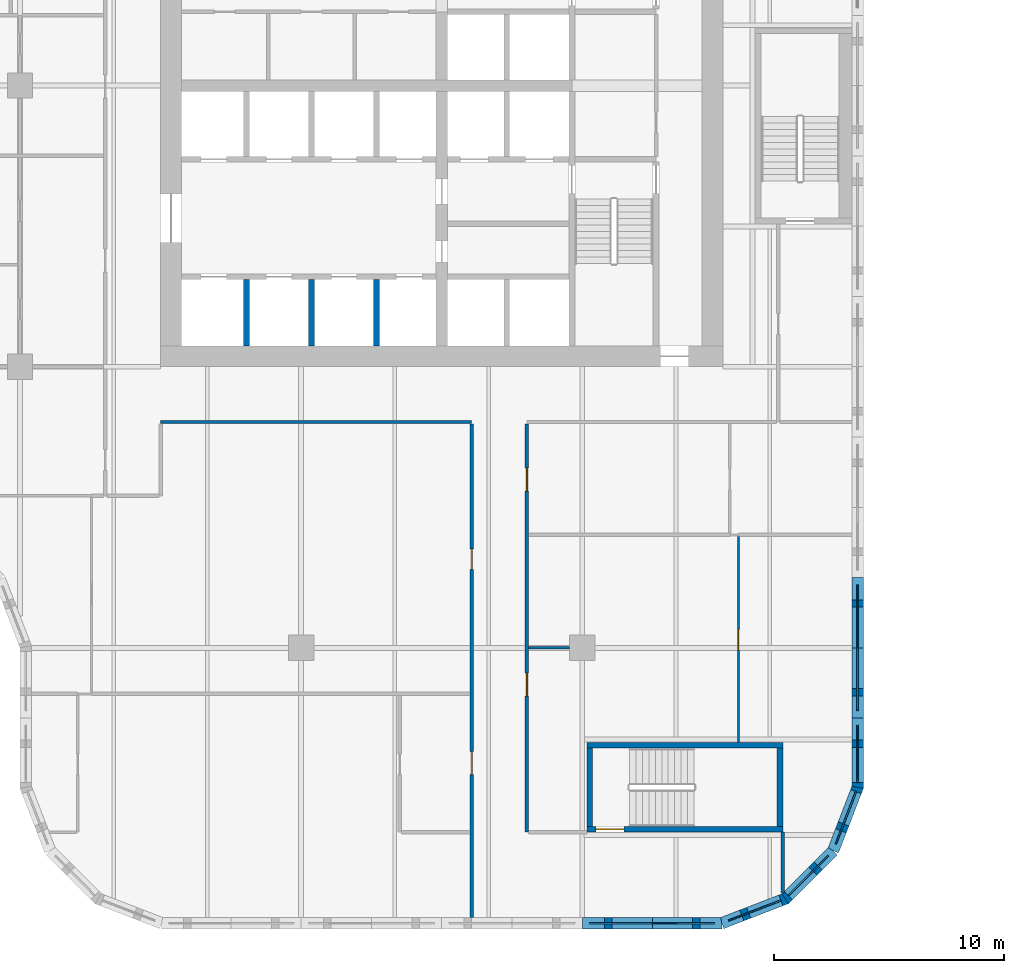
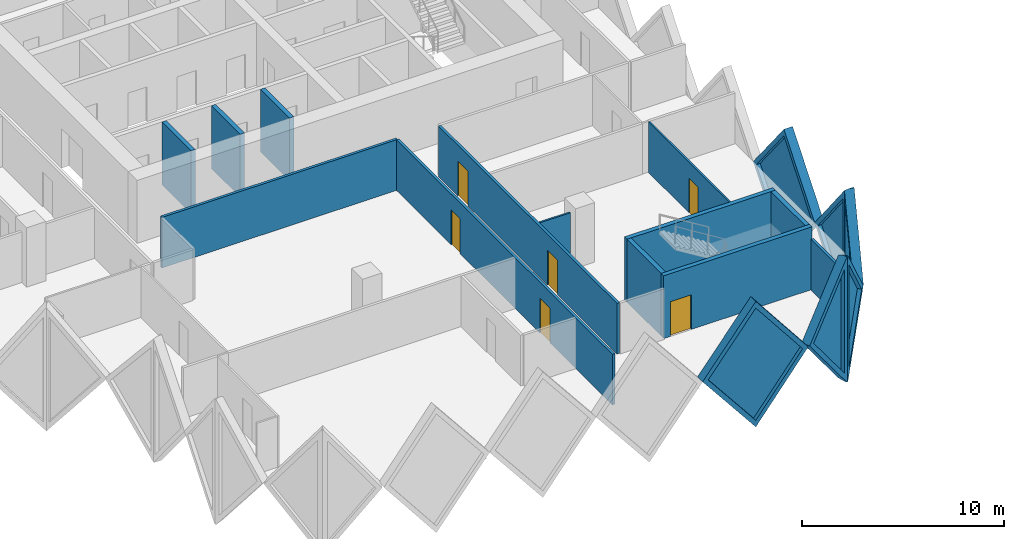
# One storey, part 6 of 20: 19 walls, 6 doors, 6 plates, 12 openings.
"""IFC4 building model written with IfcOpenShell, lengths in metres."""

from ifc_helpers import new_model, si_unit, direction, frame, frame_2d, origin, place, context, subcontext, project, spatial, polyline, rectangle, outline, extrude, faceted_brep, source, transform, mapped, material, layer, layer_set, type_object, element, fill, save


model = new_model("IFC4")

# Units and contexts
model_context = context("Model", 3, precision=1e-05, world=origin(), true_north=direction((0.0, 1.0)))
body_context = subcontext(model_context, "Body", "Model", "MODEL_VIEW")
ifc_project = project(units=[si_unit("LENGTHUNIT", "METRE"), si_unit("AREAUNIT", "SQUARE_METRE"), si_unit("VOLUMEUNIT", "CUBIC_METRE"), si_unit("PLANEANGLEUNIT", "RADIAN"), si_unit("MASSUNIT", "GRAM", prefix="KILO")], contexts=[model_context])

# Site, building, storey
site_placement = place(None, origin())
site = spatial("IfcSite", under=ifc_project, at=site_placement, CompositionType="ELEMENT")
building_placement = place(site_placement, origin())
building = spatial("IfcBuilding", under=site, at=building_placement, Name="Tessera Gate Towers", CompositionType="ELEMENT")
storey_placement = place(building_placement, frame((0.0, 0.0, 52.39990234375)))
storey = spatial("IfcBuildingStorey", under=building, at=storey_placement, Name="L12", CompositionType="ELEMENT", Elevation=52.39990234375)

# Walls
ifc_material_1 = material(Name="Concrete C40/50", Category="concrete")
ifc_layer_1 = layer(ifc_material_1, 0.25)
ifc_layer_set_1 = layer_set([ifc_layer_1], Name="CORE ENCLOSURE WALL 250")
wall_type_1 = type_object("IfcWallType", Name="CORE ENCLOSURE WALL 250", PredefinedType="SOLIDWALL", material=ifc_layer_set_1)
for number, where, z_axis, x_axis, name in (
    (1, (34.22509765625, 25.300048828125, 0.0), (0.0, 0.0, 1.0), (0.0, 1.0, 0.0), "L12 shaft and stair enclosure wall"),
    (2, (37.050048828125, 25.300048828125, 0.0), (0.0, 0.0, 1.0), (0.0, 1.0, 0.0), "L12 shaft and stair enclosure wall"),
    (3, (39.875, 25.300048828125, 0.0), (0.0, 0.0, 1.0), (0.0, 1.0, 0.0), "L12 shaft and stair enclosure wall"),
):
    element("IfcWall", number, at=place(storey_placement, frame(where, z_axis=z_axis, x_axis=x_axis)), inside=storey, type_object=wall_type_1, Name=name, PredefinedType="SOLIDWALL", context=body_context, shape_type="SweptSolid", body=[
        extrude(rectangle(XDim=2.875, YDim=0.25, at=frame_2d((1.4375, 0.0))), origin(), (0.0, 0.0, 1.0), 3.800048828125),
    ])

# Wall, opening, door
wall_1_placement = place(storey_placement, frame((57.5, 4.324951171875, 0.0), z_axis=(0.0, 0.0, 1.0), x_axis=(-1.0, 0.0, 0.0)))
wall_1 = element("IfcWall", 4, at=wall_1_placement, inside=storey, type_object=wall_type_1, Name="L12 ST4 enclosure wall", PredefinedType="SOLIDWALL", context=body_context, shape_type="SweptSolid", body=[
    extrude(rectangle(XDim=8.5, YDim=0.25, at=frame_2d((4.25, 0.0))), origin(), (0.0, 0.0, 1.0), 3.800048828125),
])
shared_shape_1 = source(origin(), body_context, "Body", "SweptSolid", [
    extrude(rectangle(XDim=1.199951171875, YDim=2.10009765625, at=frame_2d((0.60009765625, 1.050048828125))), frame((0.0, 0.135009765625, 0.0), z_axis=(0.0, -1.0, 0.0), x_axis=(1.0, 0.0, 0.0)), (0.0, 0.0, 1.0), 0.27001953125),
])
opening_1_placement = place(wall_1_placement, frame((6.89990234375, 0.0, 0.0)))
opening_1 = element("IfcOpeningElement", 5, at=opening_1_placement, cuts=wall_1, Name="Opening SD-ST4-1", PredefinedType="OPENING", context=body_context, shape_type="MappedRepresentation", body=[
    mapped(shared_shape_1, transform((0.0, 0.0, 0.0), scale=1.0)),
])
ifc_material_2 = material(Name="Hollow steel fire door", Category="steel")
door_type_1 = type_object("IfcDoorType", Name="CORE DOOR SD 1200x2100", OperationType="NOTDEFINED", PredefinedType="DOOR", material=ifc_material_2)
shared_shape_2 = source(origin(), body_context, "Body", "SweptSolid", [
    extrude(rectangle(XDim=1.199951171875, YDim=2.10009765625, at=frame_2d((0.60009765625, 1.050048828125))), frame((0.0, 0.02490234375, 0.0), z_axis=(0.0, -1.0, 0.0), x_axis=(1.0, 0.0, 0.0)), (0.0, 0.0, 1.0), 0.050048828125),
])
door_1_placement = place(opening_1_placement, origin())
door_1 = element("IfcDoor", 6, at=door_1_placement, inside=storey, type_object=door_type_1, Name="Stair door", OperationType="SINGLE_SWING_RIGHT", OverallHeight=2.10009765625, OverallWidth=1.199951171875, PredefinedType="DOOR", context=body_context, shape_type="MappedRepresentation", body=[
    mapped(shared_shape_2, transform((0.0, 0.0, 0.0), scale=1.0)),
])
fill(opening_1, door_1)

# Walls
wall_2_placement = place(storey_placement, frame((49.125, 4.449951171875, 0.0), z_axis=(0.0, 0.0, 1.0), x_axis=(0.0, 1.0, 0.0)))
element("IfcWall", 7, at=wall_2_placement, inside=storey, type_object=wall_type_1, Name="L12 ST4 enclosure wall", PredefinedType="SOLIDWALL", context=body_context, shape_type="SweptSolid", body=[
    extrude(rectangle(XDim=3.400146484375, YDim=0.25, at=frame_2d((1.7001953125, 0.0))), origin(), (0.0, 0.0, 1.0), 3.800048828125),
])
wall_3_placement = place(storey_placement, frame((49.0, 7.97509765625, 0.0), z_axis=(0.0, 0.0, 1.0), x_axis=(1.0, 0.0, 0.0)))
element("IfcWall", 8, at=wall_3_placement, inside=storey, type_object=wall_type_1, Name="L12 ST4 enclosure wall", PredefinedType="SOLIDWALL", context=body_context, shape_type="SweptSolid", body=[
    extrude(rectangle(XDim=8.5, YDim=0.25, at=frame_2d((4.25, 0.0))), origin(), (0.0, 0.0, 1.0), 3.800048828125),
])
wall_4_placement = place(storey_placement, frame((57.375, 7.85009765625, 0.0), z_axis=(0.0, 0.0, 1.0), x_axis=(0.0, -1.0, 0.0)))
element("IfcWall", 9, at=wall_4_placement, inside=storey, type_object=wall_type_1, Name="L12 ST4 enclosure wall", PredefinedType="SOLIDWALL", context=body_context, shape_type="SweptSolid", body=[
    extrude(rectangle(XDim=3.400146484375, YDim=0.25, at=frame_2d((1.7001953125, 0.0))), origin(), (0.0, 0.0, 1.0), 3.800048828125),
])

# Wall, openings, doors
ifc_material_3 = material(Name="Gypsum board on steel studs, mineral wool", Category="steel")
ifc_layer_2 = layer(ifc_material_3, 0.14990234375)
ifc_layer_set_2 = layer_set([ifc_layer_2], Name="CORRIDOR WALL 150")
wall_type_2 = type_object("IfcWallType", Name="CORRIDOR WALL 150", PredefinedType="PARTITIONING", material=ifc_layer_set_2)
wall_5_placement = place(storey_placement, frame((44.0, 0.5, 0.0), z_axis=(0.0, 0.0, 1.0), x_axis=(0.0, 1.0, 0.0)))
wall_5 = element("IfcWall", 10, at=wall_5_placement, inside=storey, type_object=wall_type_2, Name="T1-L12-PW-001", PredefinedType="PARTITIONING", context=body_context, shape_type="SweptSolid", body=[
    extrude(rectangle(XDim=21.424072265625, YDim=0.14990234375, at=frame_2d((10.7119140625, 0.0))), origin(), (0.0, 0.0, 1.0), 3.067138671875),
])
shared_shape_3 = source(origin(), body_context, "Body", "SweptSolid", [
    extrude(rectangle(XDim=1.0, YDim=2.10009765625, at=frame_2d((0.5, 1.050048828125))), frame((0.0, 0.0849609375, 0.0), z_axis=(0.0, -1.0, 0.0), x_axis=(1.0, 0.0, 0.0)), (0.0, 0.0, 1.0), 0.169921875),
])
opening_2_placement = place(wall_5_placement, frame((6.199951171875, 0.0, 0.0)))
opening_2 = element("IfcOpeningElement", 11, at=opening_2_placement, cuts=wall_5, Name="Opening D2100FD60-A04-04", PredefinedType="OPENING", context=body_context, shape_type="MappedRepresentation", body=[
    mapped(shared_shape_3, transform((0.0, 0.0, 0.0), scale=1.0)),
])
shared_shape_4 = source(origin(), body_context, "Body", "SweptSolid", [
    extrude(rectangle(XDim=0.89990234375, YDim=2.10009765625, at=frame_2d((0.449951171875, 1.050048828125))), frame((0.0, 0.0849609375, 0.0), z_axis=(0.0, -1.0, 0.0), x_axis=(1.0, 0.0, 0.0)), (0.0, 0.0, 1.0), 0.169921875),
])
opening_3_placement = place(wall_5_placement, frame((15.10009765625, 0.0, 0.0)))
opening_3 = element("IfcOpeningElement", 12, at=opening_3_placement, cuts=wall_5, Name="Opening D890FD60-A04-05", PredefinedType="OPENING", context=body_context, shape_type="MappedRepresentation", body=[
    mapped(shared_shape_4, transform((0.0, 0.0, 0.0), scale=1.0)),
])
ifc_material_4 = material(Name="Timber door leaf in steel frame", Category="steel")
door_type_2 = type_object("IfcDoorType", Name="CORRIDOR DOOR 900 FD60", OperationType="NOTDEFINED", PredefinedType="DOOR", material=ifc_material_4)
shared_shape_5 = source(origin(), body_context, "Body", "SweptSolid", [
    extrude(rectangle(XDim=0.89990234375, YDim=2.10009765625, at=frame_2d((0.449951171875, 1.050048828125))), frame((0.0, 0.02490234375, 0.0), z_axis=(0.0, -1.0, 0.0), x_axis=(1.0, 0.0, 0.0)), (0.0, 0.0, 1.0), 0.050048828125),
])
door_2_placement = place(opening_3_placement, origin())
door_2 = element("IfcDoor", 13, at=door_2_placement, inside=storey, type_object=door_type_2, Name="T1-L12-PD-026", OperationType="SINGLE_SWING_LEFT", OverallHeight=2.10009765625, OverallWidth=0.89990234375, PredefinedType="DOOR", context=body_context, shape_type="MappedRepresentation", body=[
    mapped(shared_shape_5, transform((0.0, 0.0, 0.0), scale=1.0)),
])
fill(opening_3, door_2)
ifc_material_5 = material(Name="Timber door leaf in steel frame", Category="steel")
door_type_3 = type_object("IfcDoorType", Name="TENANCY ENTRANCE DOOR 1000 FD60", OperationType="NOTDEFINED", PredefinedType="DOOR", material=ifc_material_5)
shared_shape_6 = source(origin(), body_context, "Body", "SweptSolid", [
    extrude(rectangle(XDim=1.0, YDim=2.10009765625, at=frame_2d((0.5, 1.050048828125))), frame((0.0, 0.02490234375, 0.0), z_axis=(0.0, -1.0, 0.0), x_axis=(1.0, 0.0, 0.0)), (0.0, 0.0, 1.0), 0.050048828125),
])
door_3_placement = place(opening_2_placement, origin())
door_3 = element("IfcDoor", 14, at=door_3_placement, inside=storey, type_object=door_type_3, Name="T1-L12-PD-015", OperationType="SINGLE_SWING_LEFT", OverallHeight=2.10009765625, OverallWidth=1.0, PredefinedType="DOOR", context=body_context, shape_type="MappedRepresentation", body=[
    mapped(shared_shape_6, transform((0.0, 0.0, 0.0), scale=1.0)),
])
fill(opening_2, door_3)

# Wall
wall_6_placement = place(storey_placement, frame((57.5, 1.55908203125, 0.0), z_axis=(0.0, 0.0, 1.0), x_axis=(0.0, 1.0, 0.0)))
element("IfcWall", 15, at=wall_6_placement, inside=storey, type_object=wall_type_2, Name="T1-L12-PW-002", PredefinedType="PARTITIONING", context=body_context, shape_type="SweptSolid", body=[
    extrude(rectangle(XDim=2.640869140625, YDim=0.14990234375, at=frame_2d((1.3203125, 0.0))), origin(), (0.0, 0.0, 1.0), 3.067138671875),
])

# Wall, openings, doors
wall_7_placement = place(storey_placement, frame((46.39990234375, 21.924072265625, 0.0), z_axis=(0.0, 0.0, 1.0), x_axis=(0.0, -1.0, 0.0)))
wall_7 = element("IfcWall", 16, at=wall_7_placement, inside=storey, type_object=wall_type_2, Name="T1-L12-PW-007", PredefinedType="PARTITIONING", context=body_context, shape_type="SweptSolid", body=[
    extrude(rectangle(XDim=17.72412109375, YDim=0.14990234375, at=frame_2d((8.862060546875, 0.0))), origin(), (0.0, 0.0, 1.0), 3.067138671875),
])
opening_4_placement = place(wall_7_placement, frame((1.923095703125, 0.0, 0.0)))
opening_4 = element("IfcOpeningElement", 17, at=opening_4_placement, cuts=wall_7, Name="Opening D2100FD60-A04-02", PredefinedType="OPENING", context=body_context, shape_type="MappedRepresentation", body=[
    mapped(shared_shape_3, transform((0.0, 0.0, 0.0), scale=1.0)),
])
opening_5_placement = place(wall_7_placement, frame((10.823974609375, 0.0, 0.0)))
opening_5 = element("IfcOpeningElement", 18, at=opening_5_placement, cuts=wall_7, Name="Opening D2100FD60-A04-09", PredefinedType="OPENING", context=body_context, shape_type="MappedRepresentation", body=[
    mapped(shared_shape_3, transform((0.0, 0.0, 0.0), scale=1.0)),
])
door_4_placement = place(opening_4_placement, origin())
door_4 = element("IfcDoor", 19, at=door_4_placement, inside=storey, type_object=door_type_3, Name="T1-L12-PD-008", OperationType="SINGLE_SWING_RIGHT", OverallHeight=2.10009765625, OverallWidth=1.0, PredefinedType="DOOR", context=body_context, shape_type="MappedRepresentation", body=[
    mapped(shared_shape_6, transform((0.0, 0.0, 0.0), scale=1.0)),
])
fill(opening_4, door_4)
door_5_placement = place(opening_5_placement, origin())
door_5 = element("IfcDoor", 20, at=door_5_placement, inside=storey, type_object=door_type_3, Name="T1-L12-PD-029", OperationType="SINGLE_SWING_RIGHT", OverallHeight=2.10009765625, OverallWidth=1.0, PredefinedType="DOOR", context=body_context, shape_type="MappedRepresentation", body=[
    mapped(shared_shape_6, transform((0.0, 0.0, 0.0), scale=1.0)),
])
fill(opening_5, door_5)

# Wall
wall_8_placement = place(storey_placement, frame((30.5, 22.0, 0.0), z_axis=(0.0, 0.0, 1.0), x_axis=(1.0, 0.0, 0.0)))
element("IfcWall", 21, at=wall_8_placement, inside=storey, type_object=wall_type_2, Name="T1-L12-PW-026", PredefinedType="PARTITIONING", context=body_context, shape_type="SweptSolid", body=[
    extrude(rectangle(XDim=13.5, YDim=0.14990234375, at=frame_2d((6.75, 0.0))), origin(), (0.0, 0.0, 1.0), 3.067138671875),
])

# Wall, opening, door
ifc_material_6 = material(Name="Glass", Category="glass")
ifc_layer_3 = layer(ifc_material_6, 0.10009765625)
ifc_layer_set_3 = layer_set([ifc_layer_3], Name="GLAZED PARTITION 100")
wall_type_3 = type_object("IfcWallType", Name="GLAZED PARTITION 100", PredefinedType="PARTITIONING", material=ifc_layer_set_3)
wall_9_placement = place(storey_placement, frame((55.574951171875, 17.02392578125, 0.0), z_axis=(0.0, 0.0, 1.0), x_axis=(0.0, -1.0, 0.0)))
wall_9 = element("IfcWall", 22, at=wall_9_placement, inside=storey, type_object=wall_type_3, Name="T1-L12-PW-009", PredefinedType="PARTITIONING", context=body_context, shape_type="SweptSolid", body=[
    extrude(rectangle(XDim=8.923828125, YDim=0.10009765625, at=frame_2d((4.4619140625, 0.0))), origin(), (0.0, 0.0, 1.0), 3.067138671875),
])
shared_shape_7 = source(origin(), body_context, "Body", "SweptSolid", [
    extrude(rectangle(XDim=0.89990234375, YDim=2.10009765625, at=frame_2d((0.449951171875, 1.050048828125))), frame((0.0, 0.06005859375, 0.0), z_axis=(0.0, -1.0, 0.0), x_axis=(1.0, 0.0, 0.0)), (0.0, 0.0, 1.0), 0.1201171875),
])
opening_6_placement = place(wall_9_placement, frame((4.02392578125, 0.0, 0.0)))
opening_6 = element("IfcOpeningElement", 23, at=opening_6_placement, cuts=wall_9, Name="Opening D690-A04-04", PredefinedType="OPENING", context=body_context, shape_type="MappedRepresentation", body=[
    mapped(shared_shape_7, transform((0.0, 0.0, 0.0), scale=1.0)),
])
ifc_material_7 = material(Name="Glass in aluminium frame", Category="aluminium")
door_type_4 = type_object("IfcDoorType", Name="GLAZED DOOR 900 NOT RATED", OperationType="NOTDEFINED", PredefinedType="DOOR", material=ifc_material_7)
door_6_placement = place(opening_6_placement, origin())
door_6 = element("IfcDoor", 24, at=door_6_placement, inside=storey, type_object=door_type_4, Name="T1-L12-PD-022", OperationType="SINGLE_SWING_RIGHT", OverallHeight=2.10009765625, OverallWidth=0.89990234375, PredefinedType="DOOR", context=body_context, shape_type="MappedRepresentation", body=[
    mapped(shared_shape_5, transform((0.0, 0.0, 0.0), scale=1.0)),
])
fill(opening_6, door_6)

# Wall
ifc_material_8 = material(Name="Gypsum board on steel studs", Category="steel")
ifc_layer_4 = layer(ifc_material_8, 0.10009765625)
ifc_layer_set_4 = layer_set([ifc_layer_4], Name="PARTITION 100")
wall_type_4 = type_object("IfcWallType", Name="PARTITION 100", PredefinedType="PARTITIONING", material=ifc_layer_set_4)
wall_10_placement = place(storey_placement, frame((48.25, 12.199951171875, 0.0), z_axis=(0.0, 0.0, 1.0), x_axis=(-1.0, 0.0, 0.0)))
element("IfcWall", 25, at=wall_10_placement, inside=storey, type_object=wall_type_4, Name="T1-L12-PW-014", PredefinedType="PARTITIONING", context=body_context, shape_type="SweptSolid", body=[
    extrude(rectangle(XDim=1.77490234375, YDim=0.10009765625, at=frame_2d((0.887451171875, 0.0))), origin(), (0.0, 0.0, 1.0), 3.067138671875),
])

# Wall, opening, plate
ifc_material_9 = material(Name="Precast concrete C60/75 white", Category="concrete")
ifc_layer_5 = layer(ifc_material_9, 0.5)
ifc_layer_set_5 = layer_set([ifc_layer_5], Name="TS3 corner tessera")
wall_type_5 = type_object("IfcWallType", Name="TS3 corner tessera", PredefinedType="SOLIDWALL", material=ifc_layer_set_5)
shared_shape_8 = source(origin(), body_context, "Body", "Brep", [
    faceted_brep([(0.046630859375, -0.25, 0.0), (3.050048828125, -0.25, 3.7998046875), (0.046630859375, -0.25, 7.599853515625), (0.0, -0.25, 7.539794921875), (0.0, -0.25, 0.06005859375), (0.09326171875, 0.25, 7.541015625), (3.050048828125, 0.25, 3.7998046875), (0.09326171875, 0.25, 0.058837890625), (0.046630859375, 0.0, 0.0), (0.046630859375, 0.0, 7.599853515625)], [[[0, 1, 2, 3, 4]], [[5, 6, 7]], [[7, 6, 1, 0, 8]], [[6, 5, 9, 2, 1]], [[3, 2, 9]], [[8, 0, 4]], [[7, 8, 4, 3, 9, 5]]]),
])
wall_11_placement = place(storey_placement, frame((60.75, 6.099853515625, -3.7998046875), z_axis=(0.0, 0.0, 1.0), x_axis=(0.0, 1.0, 0.0)))
wall_11 = element("IfcWall", 26, at=wall_11_placement, inside=storey, type_object=wall_type_5, Name="Precast corner tessera T1 TS3-0244", PredefinedType="SOLIDWALL", context=body_context, shape_type="MappedRepresentation", body=[
    mapped(shared_shape_8, transform((0.0, 0.0, 0.0), scale=1.0)),
])
shared_shape_9 = source(origin(), body_context, "Body", "SweptSolid", [
    extrude(outline(polyline([(0.24658203125, 0.656005859375), (2.7314453125, 3.7998046875), (0.24658203125, 6.943603515625), (0.24658203125, 0.656005859375)])), frame((0.0, 0.260009765625, 0.0), z_axis=(0.0, -1.0, 0.0), x_axis=(1.0, 0.0, 0.0)), (0.0, 0.0, 1.0), 0.52001953125),
])
opening_7_placement = place(wall_11_placement, origin())
opening_7 = element("IfcOpeningElement", 27, at=opening_7_placement, cuts=wall_11, Name="Opening T1-PL2-0336", PredefinedType="OPENING", context=body_context, shape_type="MappedRepresentation", body=[
    mapped(shared_shape_9, transform((0.0, 0.0, 0.0), scale=1.0)),
])
ifc_material_10 = material(Name="Low-e laminated glass", Category="glass")
ifc_layer_6 = layer(ifc_material_10, 0.06005859375)
ifc_layer_set_6 = layer_set([ifc_layer_6], Name="PL2 rhombic pane")
plate_type = type_object("IfcPlateType", Name="PL2 rhombic pane", PredefinedType="SHEET", material=ifc_layer_set_6)
shared_shape_10 = source(origin(), body_context, "Body", "SweptSolid", [
    extrude(outline(polyline([(0.24658203125, 0.656005859375), (2.7314453125, 3.7998046875), (0.24658203125, 6.943603515625), (0.24658203125, 0.656005859375)])), frame((0.0, 0.030029296875, 0.0), z_axis=(0.0, -1.0, 0.0), x_axis=(1.0, 0.0, 0.0)), (0.0, 0.0, 1.0), 0.06005859375),
])
plate_1_placement = place(opening_7_placement, origin())
plate_1 = element("IfcPlate", 28, at=plate_1_placement, inside=storey, type_object=plate_type, Name="Glass pane T1 PL2-0336", PredefinedType="SHEET", context=body_context, shape_type="MappedRepresentation", body=[
    mapped(shared_shape_10, transform((0.0, 0.0, 0.0), scale=1.0)),
])
fill(opening_7, plate_1)

ifc_material_11 = material(Name="Precast concrete C60/75 white", Category="concrete")
ifc_layer_7 = layer(ifc_material_11, 0.5)
ifc_layer_set_7 = layer_set([ifc_layer_7], Name="TS1 tessera")
wall_type_6 = type_object("IfcWallType", Name="TS1 tessera", PredefinedType="SOLIDWALL", material=ifc_layer_set_7)
shared_shape_11 = source(origin(), body_context, "Body", "SweptSolid", [
    extrude(outline(polyline([(3.050048828125, 0.0), (6.10009765625, 3.7998046875), (3.050048828125, 7.599853515625), (0.0, 3.7998046875), (3.050048828125, 0.0)])), frame((0.0, 0.25, 0.0), z_axis=(0.0, -1.0, 0.0), x_axis=(1.0, 0.0, 0.0)), (0.0, 0.0, 1.0), 0.5),
])
wall_12_placement = place(storey_placement, frame((60.75, 9.14990234375, -3.7998046875), z_axis=(0.0, 0.0, 1.0), x_axis=(0.0, 1.0, 0.0)))
wall_12 = element("IfcWall", 29, at=wall_12_placement, inside=storey, type_object=wall_type_6, Name="Precast tessera T1 TS1-0165", PredefinedType="SOLIDWALL", context=body_context, shape_type="MappedRepresentation", body=[
    mapped(shared_shape_11, transform((0.0, 0.0, 0.0), scale=1.0)),
])
shared_shape_12 = source(origin(), body_context, "Body", "SweptSolid", [
    extrude(outline(polyline([(3.050048828125, 0.3994140625), (5.779541015625, 3.7998046875), (3.050048828125, 7.200439453125), (0.320556640625, 3.7998046875), (3.050048828125, 0.3994140625)])), frame((0.0, 0.260009765625, 0.0), z_axis=(0.0, -1.0, 0.0), x_axis=(1.0, 0.0, 0.0)), (0.0, 0.0, 1.0), 0.52001953125),
])
opening_8_placement = place(wall_12_placement, origin())
opening_8 = element("IfcOpeningElement", 30, at=opening_8_placement, cuts=wall_12, Name="Opening T1-PL2-0337", PredefinedType="OPENING", context=body_context, shape_type="MappedRepresentation", body=[
    mapped(shared_shape_12, transform((0.0, 0.0, 0.0), scale=1.0)),
])
shared_shape_13 = source(origin(), body_context, "Body", "SweptSolid", [
    extrude(outline(polyline([(3.050048828125, 0.3994140625), (5.779541015625, 3.7998046875), (3.050048828125, 7.200439453125), (0.320556640625, 3.7998046875), (3.050048828125, 0.3994140625)])), frame((0.0, 0.030029296875, 0.0), z_axis=(0.0, -1.0, 0.0), x_axis=(1.0, 0.0, 0.0)), (0.0, 0.0, 1.0), 0.06005859375),
])
plate_2_placement = place(opening_8_placement, origin())
plate_2 = element("IfcPlate", 31, at=plate_2_placement, inside=storey, type_object=plate_type, Name="Glass pane T1 PL2-0337", PredefinedType="SHEET", context=body_context, shape_type="MappedRepresentation", body=[
    mapped(shared_shape_13, transform((0.0, 0.0, 0.0), scale=1.0)),
])
fill(opening_8, plate_2)

shared_shape_14 = source(origin(), body_context, "Body", "Brep", [
    faceted_brep([(3.050048828125, -0.25, 0.0), (6.053466796875, -0.25, 3.7998046875), (3.050048828125, -0.25, 7.599853515625), (0.0, -0.25, 3.7998046875), (0.0, 0.25, 3.7998046875), (3.050048828125, 0.25, 7.599853515625), (6.0068359375, 0.25, 3.858642578125), (6.0068359375, 0.25, 3.740966796875), (3.050048828125, 0.25, 0.0), (6.053466796875, 0.0, 3.7998046875)], [[[0, 1, 2, 3]], [[4, 5, 6, 7, 8]], [[8, 7, 9, 1, 0]], [[6, 5, 2, 1, 9]], [[5, 4, 3, 2]], [[4, 8, 0, 3]], [[9, 7, 6]]]),
])
wall_13_placement = place(storey_placement, frame((48.800048828125, 0.25, -3.7998046875), z_axis=(0.0, 0.0, 1.0), x_axis=(1.0, 0.0, 0.0)))
wall_13 = element("IfcWall", 32, at=wall_13_placement, inside=storey, type_object=wall_type_6, Name="Precast tessera T1 TS1-0164", PredefinedType="SOLIDWALL", context=body_context, shape_type="MappedRepresentation", body=[
    mapped(shared_shape_14, transform((0.0, 0.0, 0.0), scale=1.0)),
])
shared_shape_15 = source(origin(), body_context, "Body", "SweptSolid", [
    extrude(outline(polyline([(3.048583984375, 0.401123046875), (5.73486328125, 3.7998046875), (3.048583984375, 7.19873046875), (0.320556640625, 3.7998046875), (3.048583984375, 0.401123046875)])), frame((0.0, 0.260009765625, 0.0), z_axis=(0.0, -1.0, 0.0), x_axis=(1.0, 0.0, 0.0)), (0.0, 0.0, 1.0), 0.52001953125),
])
opening_9_placement = place(wall_13_placement, origin())
opening_9 = element("IfcOpeningElement", 33, at=opening_9_placement, cuts=wall_13, Name="Opening T1-PL2-0332", PredefinedType="OPENING", context=body_context, shape_type="MappedRepresentation", body=[
    mapped(shared_shape_15, transform((0.0, 0.0, 0.0), scale=1.0)),
])
shared_shape_16 = source(origin(), body_context, "Body", "SweptSolid", [
    extrude(outline(polyline([(3.048583984375, 0.401123046875), (5.73486328125, 3.7998046875), (3.048583984375, 7.19873046875), (0.320556640625, 3.7998046875), (3.048583984375, 0.401123046875)])), frame((0.0, 0.030029296875, 0.0), z_axis=(0.0, -1.0, 0.0), x_axis=(1.0, 0.0, 0.0)), (0.0, 0.0, 1.0), 0.06005859375),
])
plate_3_placement = place(opening_9_placement, origin())
plate_3 = element("IfcPlate", 34, at=plate_3_placement, inside=storey, type_object=plate_type, Name="Glass pane T1 PL2-0332", PredefinedType="SHEET", context=body_context, shape_type="MappedRepresentation", body=[
    mapped(shared_shape_16, transform((0.0, 0.0, 0.0), scale=1.0)),
])
fill(opening_9, plate_3)

shared_shape_17 = source(origin(), body_context, "Body", "Brep", [
    faceted_brep([(2.950439453125, -0.25, 0.0), (2.9970703125, -0.25, 0.05908203125), (2.9970703125, -0.25, 7.540771484375), (2.950439453125, -0.25, 7.599853515625), (0.0, -0.25, 3.7998046875), (0.052978515625, 0.25, 3.867919921875), (2.904052734375, 0.25, 7.5400390625), (2.904052734375, 0.25, 0.059814453125), (0.052978515625, 0.25, 3.731689453125), (2.950439453125, 0.00048828125, 0.0), (2.950439453125, 0.00048828125, 7.599853515625), (0.0, 0.0, 3.7998046875)], [[[0, 1, 2, 3, 4]], [[5, 6, 7, 8]], [[1, 0, 9]], [[10, 3, 2]], [[6, 5, 11, 4, 3, 10]], [[8, 7, 9, 0, 4, 11]], [[8, 11, 5]], [[1, 9, 7, 6, 10, 2]]]),
])
wall_14_placement = place(storey_placement, frame((59.68798828125, 3.393798828125, -3.7998046875), z_axis=(0.0, 0.0, 1.0), x_axis=(0.359972353723, 0.932962970624, 0.0)))
wall_14 = element("IfcWall", 35, at=wall_14_placement, inside=storey, type_object=wall_type_5, Name="Precast corner tessera T1 TS3-0243", PredefinedType="SOLIDWALL", context=body_context, shape_type="MappedRepresentation", body=[
    mapped(shared_shape_17, transform((0.0, 0.0, 0.0), scale=1.0)),
])
shared_shape_18 = source(origin(), body_context, "Body", "SweptSolid", [
    extrude(outline(polyline([(2.75048828125, 6.9345703125), (0.31640625, 3.7998046875), (2.75048828125, 0.6650390625), (2.75048828125, 6.9345703125)])), frame((0.0, 0.260009765625, 0.0), z_axis=(0.0, -1.0, 0.0), x_axis=(1.0, 0.0, 0.0)), (0.0, 0.0, 1.0), 0.52001953125),
])
opening_10_placement = place(wall_14_placement, origin())
opening_10 = element("IfcOpeningElement", 36, at=opening_10_placement, cuts=wall_14, Name="Opening T1-PL2-0335", PredefinedType="OPENING", context=body_context, shape_type="MappedRepresentation", body=[
    mapped(shared_shape_18, transform((0.0, 0.0, 0.0), scale=1.0)),
])
shared_shape_19 = source(origin(), body_context, "Body", "SweptSolid", [
    extrude(outline(polyline([(2.75048828125, 6.9345703125), (0.31640625, 3.7998046875), (2.75048828125, 0.6650390625), (2.75048828125, 6.9345703125)])), frame((0.0, 0.030029296875, 0.0), z_axis=(0.0, -1.0, 0.0), x_axis=(1.0, 0.0, 0.0)), (0.0, 0.0, 1.0), 0.06005859375),
])
plate_4_placement = place(opening_10_placement, origin())
plate_4 = element("IfcPlate", 37, at=plate_4_placement, inside=storey, type_object=plate_type, Name="Glass pane T1 PL2-0335", PredefinedType="SHEET", context=body_context, shape_type="MappedRepresentation", body=[
    mapped(shared_shape_19, transform((0.0, 0.0, 0.0), scale=1.0)),
])
fill(opening_10, plate_4)

shared_shape_20 = source(origin(), body_context, "Body", "Brep", [
    faceted_brep([(0.052978515625, -0.25, 0.0), (2.9970703125, -0.25, 3.7998046875), (0.052978515625, -0.25, 7.599853515625), (0.0, -0.25, 7.53173828125), (0.0, -0.25, 0.068115234375), (0.10595703125, 0.25, 7.531494140625), (2.944091796875, 0.25, 3.867919921875), (2.944091796875, 0.25, 3.731689453125), (0.10595703125, 0.25, 0.068359375), (2.9970703125, 0.000244140625, 3.7998046875), (0.052978515625, 0.0, 0.0), (0.052978515625, 0.0, 7.599853515625)], [[[0, 1, 2, 3, 4]], [[5, 6, 7, 8]], [[8, 7, 9, 1, 0, 10]], [[6, 5, 11, 2, 1, 9]], [[3, 2, 11]], [[10, 0, 4]], [[8, 10, 4, 3, 11, 5]], [[9, 7, 6]]]),
])
wall_15_placement = place(storey_placement, frame((57.56884765625, 1.2744140625, -3.7998046875), z_axis=(0.0, 0.0, 1.0), x_axis=(0.707066050402, 0.707147509625, 0.0)))
wall_15 = element("IfcWall", 38, at=wall_15_placement, inside=storey, type_object=wall_type_5, Name="Precast corner tessera T1 TS3-0242", PredefinedType="SOLIDWALL", context=body_context, shape_type="MappedRepresentation", body=[
    mapped(shared_shape_20, transform((0.0, 0.0, 0.0), scale=1.0)),
])
shared_shape_21 = source(origin(), body_context, "Body", "SweptSolid", [
    extrude(outline(polyline([(0.2529296875, 0.666259765625), (2.680908203125, 3.7998046875), (0.2529296875, 6.93359375), (0.2529296875, 0.666259765625)])), frame((0.0, 0.260009765625, 0.0), z_axis=(0.0, -1.0, 0.0), x_axis=(1.0, 0.0, 0.0)), (0.0, 0.0, 1.0), 0.52001953125),
])
opening_11_placement = place(wall_15_placement, origin())
opening_11 = element("IfcOpeningElement", 39, at=opening_11_placement, cuts=wall_15, Name="Opening T1-PL2-0334", PredefinedType="OPENING", context=body_context, shape_type="MappedRepresentation", body=[
    mapped(shared_shape_21, transform((0.0, 0.0, 0.0), scale=1.0)),
])
shared_shape_22 = source(origin(), body_context, "Body", "SweptSolid", [
    extrude(outline(polyline([(0.2529296875, 0.666259765625), (2.680908203125, 3.7998046875), (0.2529296875, 6.93359375), (0.2529296875, 0.666259765625)])), frame((0.0, 0.030029296875, 0.0), z_axis=(0.0, -1.0, 0.0), x_axis=(1.0, 0.0, 0.0)), (0.0, 0.0, 1.0), 0.06005859375),
])
plate_5_placement = place(opening_11_placement, origin())
plate_5 = element("IfcPlate", 40, at=plate_5_placement, inside=storey, type_object=plate_type, Name="Glass pane T1 PL2-0334", PredefinedType="SHEET", context=body_context, shape_type="MappedRepresentation", body=[
    mapped(shared_shape_22, transform((0.0, 0.0, 0.0), scale=1.0)),
])
fill(opening_11, plate_5)

shared_shape_23 = source(origin(), body_context, "Body", "Brep", [
    faceted_brep([(2.950439453125, -0.25, 0.0), (3.00341796875, -0.25, 0.068359375), (3.00341796875, -0.25, 7.531494140625), (2.950439453125, -0.25, 7.599853515625), (0.0, -0.25, 3.7998046875), (0.046630859375, 0.25, 3.85986328125), (2.897705078125, 0.25, 7.53173828125), (2.897705078125, 0.25, 0.068115234375), (0.046630859375, 0.25, 3.73974609375), (2.950439453125, 0.00048828125, 0.0), (2.950439453125, 0.00048828125, 7.599853515625), (0.0, 0.0, 3.7998046875)], [[[0, 1, 2, 3, 4]], [[5, 6, 7, 8]], [[1, 0, 9]], [[10, 3, 2]], [[6, 5, 11, 4, 3, 10]], [[8, 7, 9, 0, 4, 11]], [[8, 11, 5]], [[1, 9, 7, 6, 10, 2]]]),
])
wall_16_placement = place(storey_placement, frame((54.853515625, 0.25, -3.7998046875), z_axis=(0.0, 0.0, 1.0), x_axis=(0.932970071518, 0.359953949349, 0.0)))
wall_16 = element("IfcWall", 41, at=wall_16_placement, inside=storey, type_object=wall_type_5, Name="Precast corner tessera T1 TS3-0241", PredefinedType="SOLIDWALL", context=body_context, shape_type="MappedRepresentation", body=[
    mapped(shared_shape_23, transform((0.0, 0.0, 0.0), scale=1.0)),
])
opening_12_placement = place(wall_16_placement, origin())
opening_12 = element("IfcOpeningElement", 42, at=opening_12_placement, cuts=wall_16, Name="Opening T1-PL2-0333", PredefinedType="OPENING", context=body_context, shape_type="MappedRepresentation", body=[
    mapped(shared_shape_18, transform((0.0, 0.0, 0.0), scale=1.0)),
])
plate_6_placement = place(opening_12_placement, origin())
plate_6 = element("IfcPlate", 43, at=plate_6_placement, inside=storey, type_object=plate_type, Name="Glass pane T1 PL2-0333", PredefinedType="SHEET", context=body_context, shape_type="MappedRepresentation", body=[
    mapped(shared_shape_19, transform((0.0, 0.0, 0.0), scale=1.0)),
])
fill(opening_12, plate_6)

save(model, "model.ifc")
